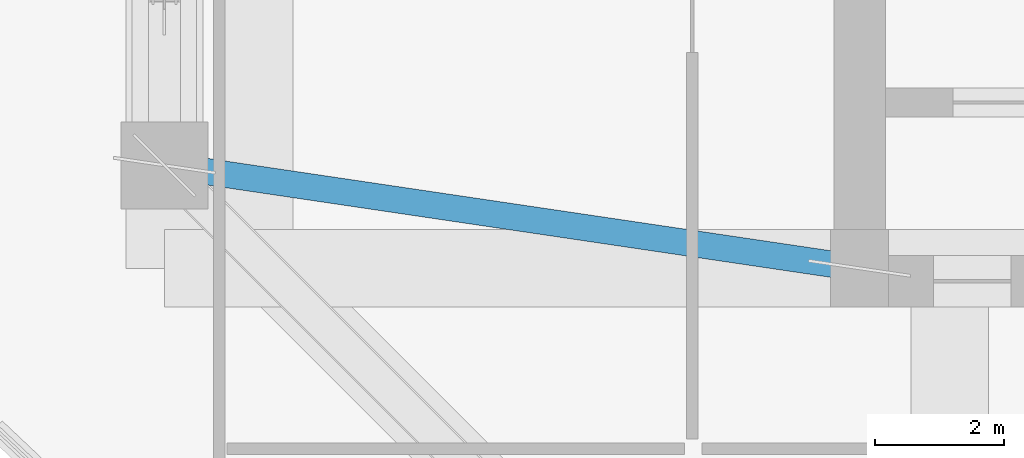
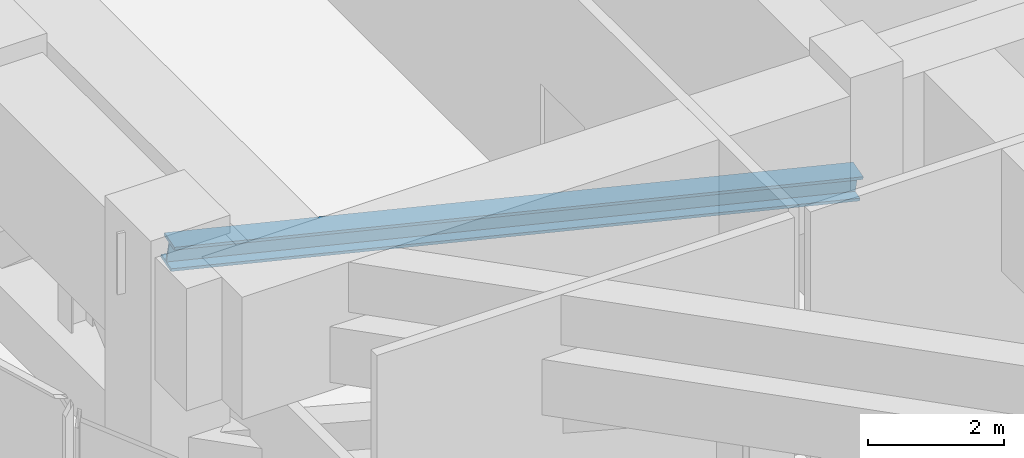
# One storey, part 9 of 41: 1 member.
"""IFC4 building model written with IfcOpenShell, lengths in metres."""

from ifc_helpers import new_model, si_unit, direction, frame, origin, origin_2d, place, context, subcontext, project, spatial, i_section, extrude, material, material_profile, profile_set, type_object, element, save


model = new_model("IFC4")

# Units and contexts
model_context = context("Model", 3, precision=1e-05, world=origin(), true_north=direction((0.0, 1.0)))
body_context = subcontext(model_context, "Body", "Model", "MODEL_VIEW")
ifc_project = project(units=[si_unit("LENGTHUNIT", "METRE"), si_unit("AREAUNIT", "SQUARE_METRE"), si_unit("VOLUMEUNIT", "CUBIC_METRE"), si_unit("PLANEANGLEUNIT", "RADIAN"), si_unit("MASSUNIT", "GRAM", prefix="KILO")], contexts=[model_context])

# Site, building, storey
site_placement = place(None, origin())
site = spatial("IfcSite", under=ifc_project, at=site_placement, CompositionType="ELEMENT")
building_placement = place(site_placement, origin())
building = spatial("IfcBuilding", under=site, at=building_placement, Name="Veraguas Prism Commons", CompositionType="ELEMENT")
storey_placement = place(building_placement, frame((0.0, 0.0, 80.35009765625)))
storey = spatial("IfcBuildingStorey", under=building, at=storey_placement, Name="L22", CompositionType="ELEMENT", Elevation=80.35009765625)

# Member
ifc_material = material(Name="Steel ASTM A992 Grade 50", Category="steel")
ifc_material_profile = material_profile(ifc_material, i_section(OverallWidth=0.408935546875, OverallDepth=0.425048828125, WebThickness=0.030517578125, FlangeThickness=0.049072265625, at=origin_2d()), Name="W360X421")
ifc_profile_set = profile_set([ifc_material_profile], Name="Steel ASTM A992 Grade 50")
member_type = type_object("IfcMemberType", Name="Outrigger Truss Diagonal W360x421", PredefinedType="BRACE", material=ifc_profile_set)
member_placement = place(storey_placement, frame((17.199951171875, 17.0, 2.419921875), z_axis=(-0.979505763607, 0.145120165804, 0.139673177585), x_axis=(-0.146556765224, -0.989202261707, 0.0)))
element("IfcMember", 1, at=member_placement, inside=storey, type_object=member_type, Name="Outrigger Truss Diagonal L22-04", PredefinedType="BRACE", context=body_context, shape_type="SweptSolid", body=[
    extrude(i_section(OverallWidth=0.408935546875, OverallDepth=0.425048828125, WebThickness=0.030517578125, FlangeThickness=0.049072265625, at=origin_2d()), origin(), (0.0, 0.0, 1.0), 11.026123046875),
])

save(model, "model.ifc")
